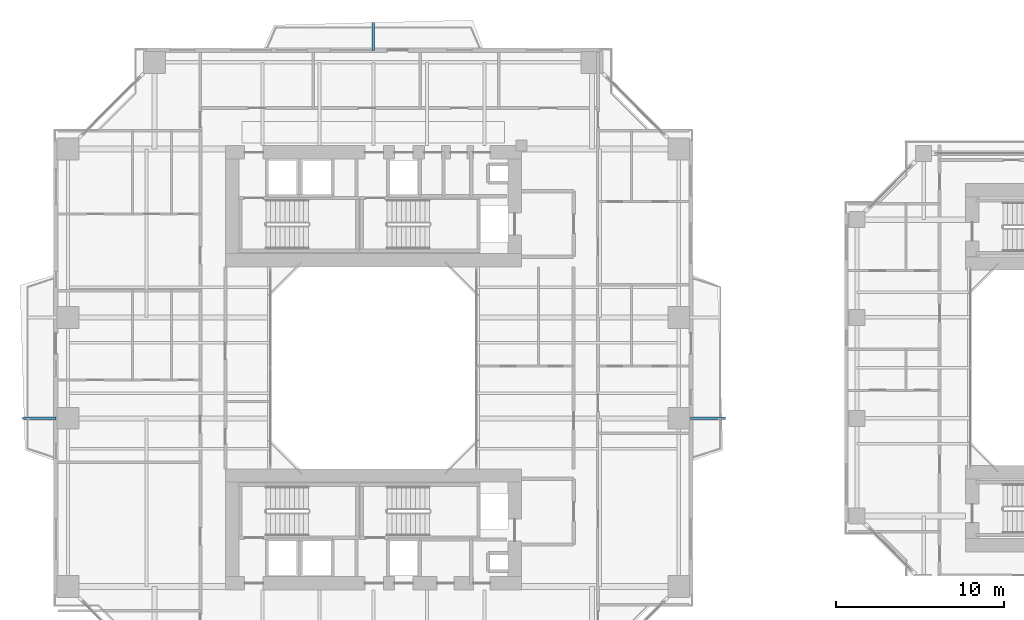
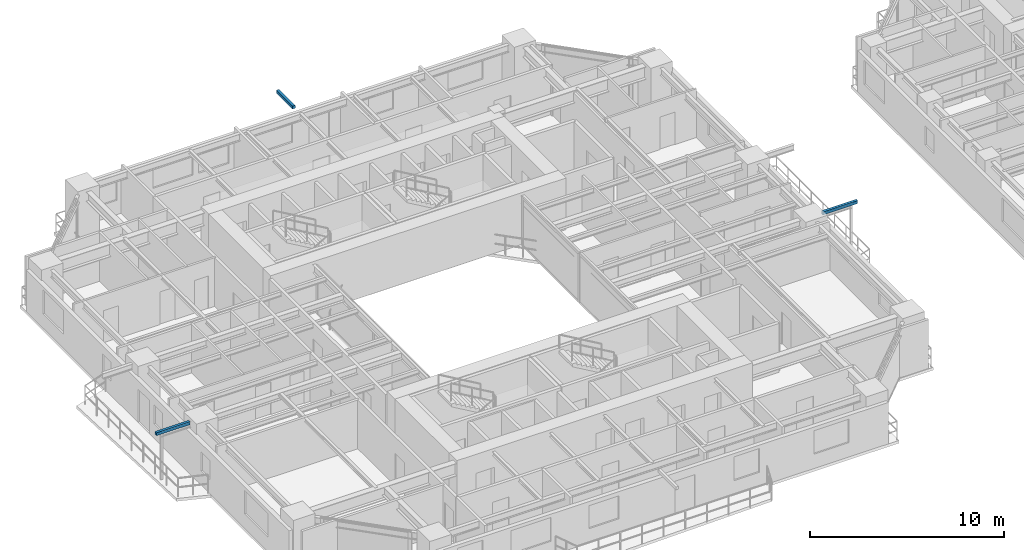
# One storey, part 19 of 23: 3 discrete accessories.
"""IFC4 building model written with IfcOpenShell, lengths in metres."""

from ifc_helpers import new_model, si_unit, direction, frame, origin, origin_2d, place, context, subcontext, project, spatial, rectangle, extrude, source, transform, mapped, material, type_object, element, save


model = new_model("IFC4")

# Units and contexts
model_context = context("Model", 3, precision=1e-05, world=origin(), true_north=direction((0.0, 1.0)))
body_context = subcontext(model_context, "Body", "Model", "MODEL_VIEW")
ifc_project = project(units=[si_unit("LENGTHUNIT", "METRE"), si_unit("AREAUNIT", "SQUARE_METRE"), si_unit("VOLUMEUNIT", "CUBIC_METRE"), si_unit("PLANEANGLEUNIT", "RADIAN"), si_unit("MASSUNIT", "GRAM", prefix="KILO"), si_unit("THERMODYNAMICTEMPERATUREUNIT", "KELVIN"), si_unit("POWERUNIT", "WATT")], contexts=[model_context])

# Site, building, storey
site_placement = place(None, origin())
site = spatial("IfcSite", under=ifc_project, at=site_placement, CompositionType="ELEMENT")
building_placement = place(site_placement, origin())
building = spatial("IfcBuilding", under=site, at=building_placement, Name="Qiaomeng Ring Towers", CompositionType="ELEMENT")
storey_placement = place(building_placement, frame((0.0, 0.0, 39.25)))
storey = spatial("IfcBuildingStorey", under=building, at=storey_placement, Name="L10", CompositionType="ELEMENT", Elevation=39.25)

# Discrete accessories
ifc_material = material(Name="Stainless steel 316", Category="steel")
discrete_accessory_type = type_object("IfcDiscreteAccessoryType", Name="ARC-ACC-BRACKET", PredefinedType="BRACKET", material=ifc_material)
shared_shape_1 = source(origin(), body_context, "Body", "SweptSolid", [
    extrude(rectangle(XDim=0.159912109375, YDim=1.669921875, at=origin_2d()), origin(), (0.0, 0.0, 1.0), 0.179931640625),
])
discrete_accessory_1_placement = place(storey_placement, frame((19.0, 42.68505859375, 2.89990234375), z_axis=(0.0, 0.0, 1.0), x_axis=(1.0, 0.0, 0.0)))
element("IfcDiscreteAccessory", 1, at=discrete_accessory_1_placement, inside=storey, type_object=discrete_accessory_type, Name="L10 Stainless Outer-Skin Tie Bracket N", PredefinedType="BRACKET", context=body_context, shape_type="MappedRepresentation", body=[
    mapped(shared_shape_1, transform((0.0, 0.0, 0.0), x_axis=(1.0, 0.0, 0.0), y_axis=(0.0, 1.0, 0.0), z_axis=(0.0, 0.0, 1.0), scale=1.0)),
])
shared_shape_2 = source(origin(), body_context, "Body", "SweptSolid", [
    extrude(rectangle(XDim=2.0, YDim=0.159912109375, at=origin_2d()), origin(), (0.0, 0.0, 1.0), 0.179931640625),
])
discrete_accessory_2_placement = place(storey_placement, frame((-0.85009765625, 20.0, 2.89990234375), z_axis=(0.0, 0.0, 1.0), x_axis=(1.0, 0.0, 0.0)))
element("IfcDiscreteAccessory", 2, at=discrete_accessory_2_placement, inside=storey, type_object=discrete_accessory_type, Name="L10 Stainless Outer-Skin Tie Bracket W", PredefinedType="BRACKET", context=body_context, shape_type="MappedRepresentation", body=[
    mapped(shared_shape_2, transform((0.0, 0.0, 0.0), x_axis=(1.0, 0.0, 0.0), y_axis=(0.0, 1.0, 0.0), z_axis=(0.0, 0.0, 1.0), scale=1.0)),
])
shared_shape_3 = source(origin(), body_context, "Body", "SweptSolid", [
    extrude(rectangle(XDim=2.070068359375, YDim=0.159912109375, at=origin_2d()), origin(), (0.0, 0.0, 1.0), 0.179931640625),
])
discrete_accessory_3_placement = place(storey_placement, frame((38.885009765625, 20.0, 2.89990234375), z_axis=(0.0, 0.0, 1.0), x_axis=(1.0, 0.0, 0.0)))
element("IfcDiscreteAccessory", 3, at=discrete_accessory_3_placement, inside=storey, type_object=discrete_accessory_type, Name="L10 Stainless Outer-Skin Tie Bracket E", PredefinedType="BRACKET", context=body_context, shape_type="MappedRepresentation", body=[
    mapped(shared_shape_3, transform((0.0, 0.0, 0.0), x_axis=(1.0, 0.0, 0.0), y_axis=(0.0, 1.0, 0.0), z_axis=(0.0, 0.0, 1.0), scale=1.0)),
])

save(model, "model.ifc")
